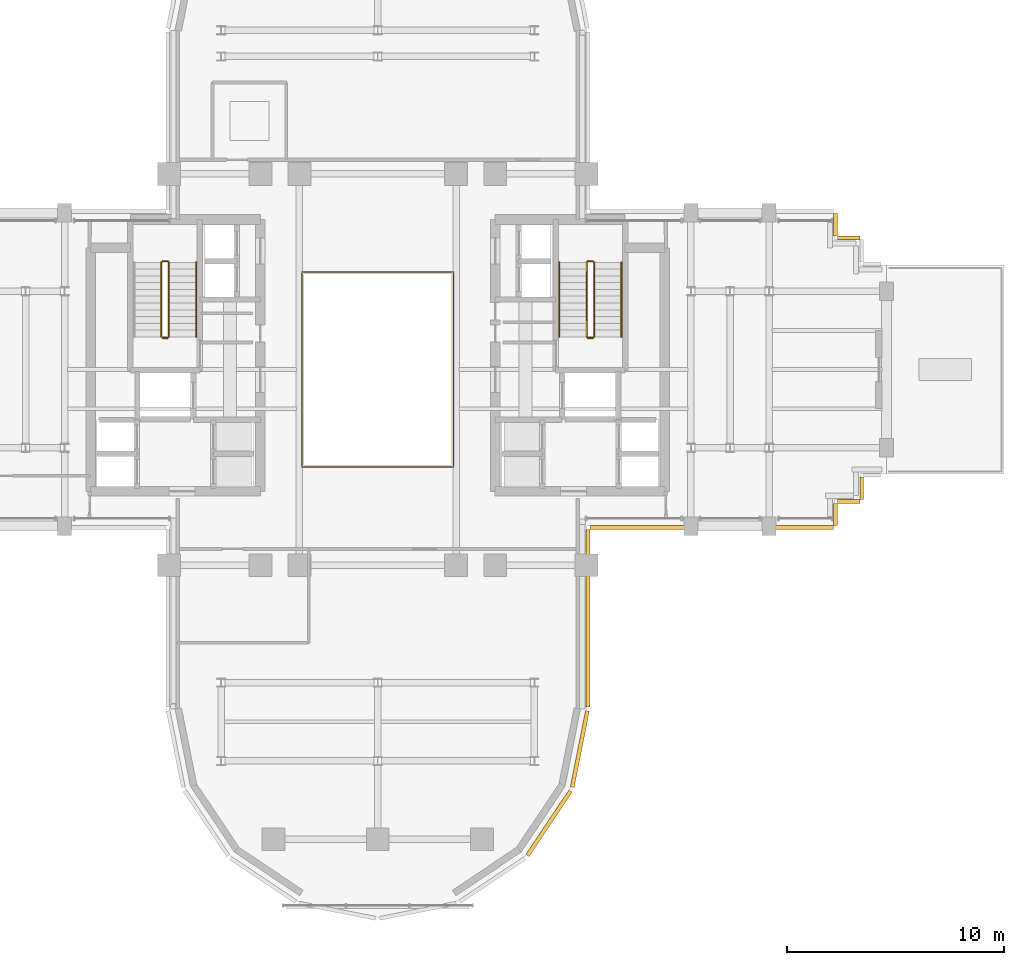
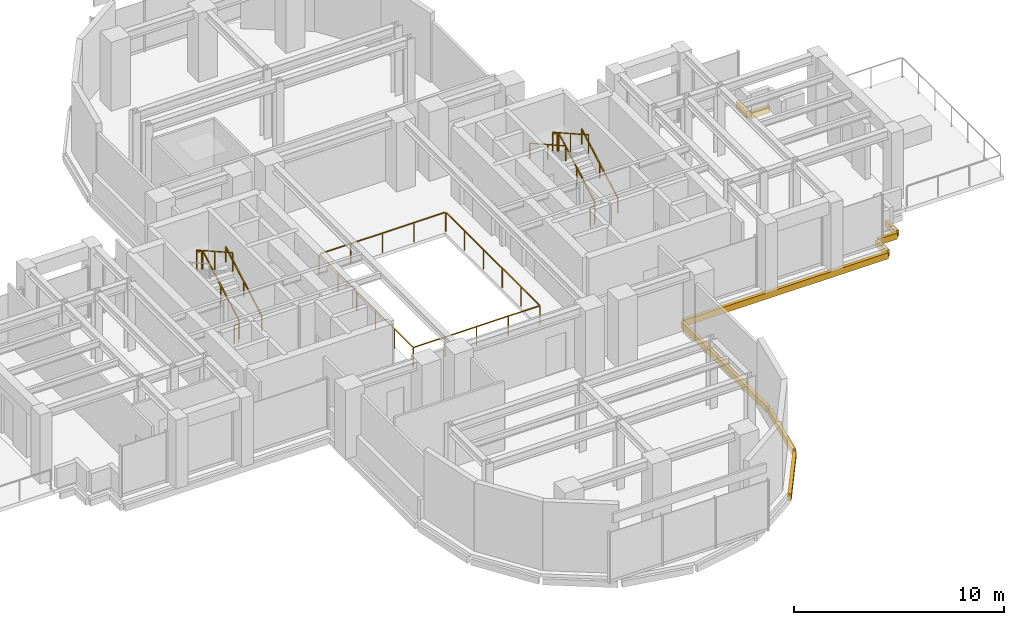
# One storey, part 13 of 16: 12 railings, 9 coverings.
"""IFC4 building model written with IfcOpenShell, lengths in metres."""

from ifc_helpers import new_model, si_unit, direction, frame, origin, origin_2d, place, context, subcontext, project, spatial, rectangle, extrude, source, transform, mapped, material, layer, layer_set, type_object, element, save


model = new_model("IFC4")

# Units and contexts
model_context = context("Model", 3, precision=1e-05, world=origin(), true_north=direction((0.0, 1.0)))
body_context = subcontext(model_context, "Body", "Model", "MODEL_VIEW")
ifc_project = project(units=[si_unit("LENGTHUNIT", "METRE"), si_unit("AREAUNIT", "SQUARE_METRE"), si_unit("VOLUMEUNIT", "CUBIC_METRE"), si_unit("PLANEANGLEUNIT", "RADIAN"), si_unit("MASSUNIT", "GRAM", prefix="KILO")], contexts=[model_context])

# Site, building, storey
site_placement = place(None, origin())
site = spatial("IfcSite", under=ifc_project, at=site_placement, CompositionType="ELEMENT")
building_placement = place(site_placement, origin())
building = spatial("IfcBuilding", under=site, at=building_placement, Name="Keilestroom Media Tower", CompositionType="ELEMENT")
storey_placement = place(building_placement, frame((0.0, 0.0, 93.0)))
storey = spatial("IfcBuildingStorey", under=building, at=storey_placement, Name="L24", CompositionType="ELEMENT", Elevation=93.0)

# Railings
ifc_material_1 = material(Name="Laminated Safety Glass & Bronze Steel", Category="steel")
railing_type_1 = type_object("IfcRailingType", Name="Atrium-Void-Guard-Balustrade-1150", PredefinedType="BALUSTRADE", material=ifc_material_1)
railing_1_placement = place(storey_placement, frame((-3.47998046875, -4.47998046875, 0.0)))
element("IfcRailing", 1, at=railing_1_placement, inside=storey, type_object=railing_type_1, Name="L24 Central Atrium Void Balustrade", PredefinedType="BALUSTRADE", context=body_context, shape_type="SweptSolid", body=[
    extrude(rectangle(XDim=0.048095703125, YDim=0.048095703125, at=origin_2d()), frame((0.0, 0.0, 1.1259765625), z_axis=(1.0, 0.0, 0.0), x_axis=(0.0, 1.0, 0.0)), (0.0, 0.0, 1.0), 6.911865234375),
    extrude(rectangle(XDim=0.048095703125, YDim=0.048095703125, at=origin_2d()), frame((6.9599609375, 0.048095703125, 1.1259765625), z_axis=(0.0, 1.0, 0.0), x_axis=(-1.0, 0.0, 0.0)), (0.0, 0.0, 1.0), 8.86376953125),
    extrude(rectangle(XDim=0.048095703125, YDim=0.048095703125, at=origin_2d()), frame((6.911865234375, 8.9599609375, 1.1259765625), z_axis=(-1.0, 0.0, 0.0), x_axis=(0.0, -1.0, 0.0)), (0.0, 0.0, 1.0), 6.86376953125),
    extrude(rectangle(XDim=0.048095703125, YDim=0.048095703125, at=origin_2d()), frame((0.0, 8.911865234375, 1.1259765625), z_axis=(0.0, -1.0, 0.0), x_axis=(1.0, 0.0, 0.0)), (0.0, 0.0, 1.0), 8.86376953125),
    extrude(rectangle(XDim=0.0419921875, YDim=0.0419921875, at=origin_2d()), origin(), (0.0, 0.0, 1.0), 1.09375),
    extrude(rectangle(XDim=0.0419921875, YDim=0.0419921875, at=origin_2d()), frame((1.739990234375, 0.0, 0.0)), (0.0, 0.0, 1.0), 1.09375),
    extrude(rectangle(XDim=0.0419921875, YDim=0.0419921875, at=origin_2d()), frame((3.47998046875, 0.0, 0.0)), (0.0, 0.0, 1.0), 1.09375),
    extrude(rectangle(XDim=0.0419921875, YDim=0.0419921875, at=origin_2d()), frame((5.219970703125, 0.0, 0.0)), (0.0, 0.0, 1.0), 1.09375),
    extrude(rectangle(XDim=0.0419921875, YDim=0.0419921875, at=origin_2d()), frame((6.9599609375, 0.0, 0.0)), (0.0, 0.0, 1.0), 1.09375),
    extrude(rectangle(XDim=0.0419921875, YDim=0.0419921875, at=origin_2d()), frame((6.9599609375, 1.7919921875, 0.0)), (0.0, 0.0, 1.0), 1.09375),
    extrude(rectangle(XDim=0.0419921875, YDim=0.0419921875, at=origin_2d()), frame((6.9599609375, 3.583984375, 0.0)), (0.0, 0.0, 1.0), 1.09375),
    extrude(rectangle(XDim=0.0419921875, YDim=0.0419921875, at=origin_2d()), frame((6.9599609375, 5.3759765625, 0.0)), (0.0, 0.0, 1.0), 1.09375),
    extrude(rectangle(XDim=0.0419921875, YDim=0.0419921875, at=origin_2d()), frame((6.9599609375, 7.16796875, 0.0)), (0.0, 0.0, 1.0), 1.09375),
    extrude(rectangle(XDim=0.0419921875, YDim=0.0419921875, at=origin_2d()), frame((6.9599609375, 8.9599609375, 0.0)), (0.0, 0.0, 1.0), 1.09375),
    extrude(rectangle(XDim=0.0419921875, YDim=0.0419921875, at=origin_2d()), frame((5.219970703125, 8.9599609375, 0.0)), (0.0, 0.0, 1.0), 1.09375),
    extrude(rectangle(XDim=0.0419921875, YDim=0.0419921875, at=origin_2d()), frame((3.47998046875, 8.9599609375, 0.0)), (0.0, 0.0, 1.0), 1.09375),
    extrude(rectangle(XDim=0.0419921875, YDim=0.0419921875, at=origin_2d()), frame((1.739990234375, 8.9599609375, 0.0)), (0.0, 0.0, 1.0), 1.09375),
    extrude(rectangle(XDim=0.0419921875, YDim=0.0419921875, at=origin_2d()), frame((0.0, 8.9599609375, 0.0)), (0.0, 0.0, 1.0), 1.09375),
    extrude(rectangle(XDim=0.0419921875, YDim=0.0419921875, at=origin_2d()), frame((0.0, 7.16796875, 0.0)), (0.0, 0.0, 1.0), 1.09375),
    extrude(rectangle(XDim=0.0419921875, YDim=0.0419921875, at=origin_2d()), frame((0.0, 5.3759765625, 0.0)), (0.0, 0.0, 1.0), 1.09375),
    extrude(rectangle(XDim=0.0419921875, YDim=0.0419921875, at=origin_2d()), frame((0.0, 3.583984375, 0.0)), (0.0, 0.0, 1.0), 1.09375),
    extrude(rectangle(XDim=0.0419921875, YDim=0.0419921875, at=origin_2d()), frame((0.0, 1.7919921875, 0.0)), (0.0, 0.0, 1.0), 1.09375),
])
ifc_material_2 = material(Name="Brushed Stainless Steel 1.4301", Category="steel")
railing_type_2 = type_object("IfcRailingType", Name="Stair-Pitch-Handrail-920", PredefinedType="HANDRAIL", material=ifc_material_2)
for number, where, name in (
    (2, (-8.35009765625, 1.5, 0.175048828125), "L24 ST-1 stair handrail 1"),
    (3, (11.2099609375, 1.5, 0.175048828125), "L24 ST-2 stair handrail 1"),
):
    element("IfcRailing", number, at=place(storey_placement, frame(where)), inside=storey, type_object=railing_type_2, Name=name, PredefinedType="HANDRAIL", context=body_context, shape_type="SweptSolid", body=[
        extrude(rectangle(XDim=0.048095703125, YDim=0.048095703125, at=origin_2d()), frame((0.0, 0.0, 0.8759765625), z_axis=(0.0, 0.872159829118, 0.489221046638), x_axis=(-1.0, 0.0, 0.0)), (0.0, 0.0, 1.0), 3.934814453125),
        extrude(rectangle(XDim=0.0419921875, YDim=0.0419921875, at=origin_2d()), origin(), (0.0, 0.0, 1.0), 0.84375),
        extrude(rectangle(XDim=0.0419921875, YDim=0.0419921875, at=origin_2d()), frame((0.0, 1.7158203125, 0.96240234375)), (0.0, 0.0, 1.0), 0.84375),
        extrude(rectangle(XDim=0.0419921875, YDim=0.0419921875, at=origin_2d()), frame((0.0, 3.431884765625, 1.925048828125)), (0.0, 0.0, 1.0), 0.84375),
    ])
railing_2_placement = place(storey_placement, frame((8.35009765625, 4.931884765625, 2.27490234375)))
element("IfcRailing", 4, at=railing_2_placement, inside=storey, type_object=railing_type_2, Name="L24 ST-2 stair handrail 2", PredefinedType="HANDRAIL", context=body_context, shape_type="SweptSolid", body=[
    extrude(rectangle(XDim=0.048095703125, YDim=0.048095703125, at=origin_2d()), frame((0.0, 0.0, 0.8759765625), z_axis=(0.0, -0.872159829118, 0.489221046638), x_axis=(1.0, 0.0, 0.0)), (0.0, 0.0, 1.0), 3.934814453125),
    extrude(rectangle(XDim=0.0419921875, YDim=0.0419921875, at=origin_2d()), origin(), (0.0, 0.0, 1.0), 0.84375),
    extrude(rectangle(XDim=0.0419921875, YDim=0.0419921875, at=origin_2d()), frame((0.0, -1.7158203125, 0.96240234375)), (0.0, 0.0, 1.0), 0.84375),
    extrude(rectangle(XDim=0.0419921875, YDim=0.0419921875, at=origin_2d()), frame((0.0, -3.431884765625, 1.925048828125)), (0.0, 0.0, 1.0), 0.84375),
])
ifc_material_3 = material(Name="Painted Steel Balustrade", Category="steel")
railing_type_3 = type_object("IfcRailingType", Name="Stair-Well-And-Landing-Guard-1100", PredefinedType="GUARDRAIL", material=ifc_material_3)
railing_3_placement = place(storey_placement, frame((-9.610107421875, 1.5, 0.175048828125)))
element("IfcRailing", 5, at=railing_3_placement, inside=storey, type_object=railing_type_3, Name="L24 ST-1 stair guard 1", PredefinedType="GUARDRAIL", context=body_context, shape_type="SweptSolid", body=[
    extrude(rectangle(XDim=0.048095703125, YDim=0.048095703125, at=origin_2d()), frame((0.0, 0.0, 1.076171875), z_axis=(0.0, 0.872159829118, 0.489221046638), x_axis=(-1.0, 0.0, 0.0)), (0.0, 0.0, 1.0), 3.934814453125),
    extrude(rectangle(XDim=0.0419921875, YDim=0.0419921875, at=origin_2d()), origin(), (0.0, 0.0, 1.0), 1.0439453125),
    extrude(rectangle(XDim=0.0419921875, YDim=0.0419921875, at=origin_2d()), frame((0.0, 1.7158203125, 0.96240234375)), (0.0, 0.0, 1.0), 1.0439453125),
    extrude(rectangle(XDim=0.0419921875, YDim=0.0419921875, at=origin_2d()), frame((0.0, 3.431884765625, 1.925048828125)), (0.0, 0.0, 1.0), 1.0439453125),
])
railing_4_placement = place(storey_placement, frame((-9.659912109375, 4.98193359375, 2.10009765625)))
element("IfcRailing", 6, at=railing_4_placement, inside=storey, type_object=railing_type_3, Name="L24 ST-1 stair guard 2", PredefinedType="GUARDRAIL", context=body_context, shape_type="SweptSolid", body=[
    extrude(rectangle(XDim=0.048095703125, YDim=0.048095703125, at=origin_2d()), frame((0.0, 0.0, 1.076171875), z_axis=(-1.0, 0.0, 0.0), x_axis=(0.0, -1.0, 0.0)), (0.0, 0.0, 1.0), 0.239990234375),
    extrude(rectangle(XDim=0.0419921875, YDim=0.0419921875, at=origin_2d()), origin(), (0.0, 0.0, 1.0), 1.0439453125),
    extrude(rectangle(XDim=0.0419921875, YDim=0.0419921875, at=origin_2d()), frame((-0.239990234375, 0.0, 0.0)), (0.0, 0.0, 1.0), 1.0439453125),
])
railing_5_placement = place(storey_placement, frame((-9.949951171875, 4.931884765625, 2.27490234375)))
element("IfcRailing", 7, at=railing_5_placement, inside=storey, type_object=railing_type_3, Name="L24 ST-1 stair guard 3", PredefinedType="GUARDRAIL", context=body_context, shape_type="SweptSolid", body=[
    extrude(rectangle(XDim=0.048095703125, YDim=0.048095703125, at=origin_2d()), frame((0.0, 0.0, 1.076171875), z_axis=(0.0, -0.872159829118, 0.489221046638), x_axis=(1.0, 0.0, 0.0)), (0.0, 0.0, 1.0), 3.934814453125),
    extrude(rectangle(XDim=0.0419921875, YDim=0.0419921875, at=origin_2d()), origin(), (0.0, 0.0, 1.0), 1.0439453125),
    extrude(rectangle(XDim=0.0419921875, YDim=0.0419921875, at=origin_2d()), frame((0.0, -1.7158203125, 0.96240234375)), (0.0, 0.0, 1.0), 1.0439453125),
    extrude(rectangle(XDim=0.0419921875, YDim=0.0419921875, at=origin_2d()), frame((0.0, -3.431884765625, 1.925048828125)), (0.0, 0.0, 1.0), 1.0439453125),
])
railing_6_placement = place(storey_placement, frame((-9.659912109375, 1.449951171875, 0.0)))
element("IfcRailing", 8, at=railing_6_placement, inside=storey, type_object=railing_type_3, Name="L24 ST-1 stair guard 4", PredefinedType="GUARDRAIL", context=body_context, shape_type="SweptSolid", body=[
    extrude(rectangle(XDim=0.048095703125, YDim=0.048095703125, at=origin_2d()), frame((0.0, 0.0, 1.076171875), z_axis=(-1.0, 0.0, 0.0), x_axis=(0.0, -1.0, 0.0)), (0.0, 0.0, 1.0), 0.239990234375),
    extrude(rectangle(XDim=0.0419921875, YDim=0.0419921875, at=origin_2d()), origin(), (0.0, 0.0, 1.0), 1.0439453125),
    extrude(rectangle(XDim=0.0419921875, YDim=0.0419921875, at=origin_2d()), frame((-0.239990234375, 0.0, 0.0)), (0.0, 0.0, 1.0), 1.0439453125),
])
railing_7_placement = place(storey_placement, frame((9.949951171875, 1.5, 0.175048828125)))
element("IfcRailing", 9, at=railing_7_placement, inside=storey, type_object=railing_type_3, Name="L24 ST-2 stair guard 1", PredefinedType="GUARDRAIL", context=body_context, shape_type="SweptSolid", body=[
    extrude(rectangle(XDim=0.048095703125, YDim=0.048095703125, at=origin_2d()), frame((0.0, 0.0, 1.076171875), z_axis=(0.0, 0.872159829118, 0.489221046638), x_axis=(-1.0, 0.0, 0.0)), (0.0, 0.0, 1.0), 3.934814453125),
    extrude(rectangle(XDim=0.0419921875, YDim=0.0419921875, at=origin_2d()), origin(), (0.0, 0.0, 1.0), 1.0439453125),
    extrude(rectangle(XDim=0.0419921875, YDim=0.0419921875, at=origin_2d()), frame((0.0, 1.7158203125, 0.96240234375)), (0.0, 0.0, 1.0), 1.0439453125),
    extrude(rectangle(XDim=0.0419921875, YDim=0.0419921875, at=origin_2d()), frame((0.0, 3.431884765625, 1.925048828125)), (0.0, 0.0, 1.0), 1.0439453125),
])
railing_8_placement = place(storey_placement, frame((9.89990234375, 4.98193359375, 2.10009765625)))
element("IfcRailing", 10, at=railing_8_placement, inside=storey, type_object=railing_type_3, Name="L24 ST-2 stair guard 2", PredefinedType="GUARDRAIL", context=body_context, shape_type="SweptSolid", body=[
    extrude(rectangle(XDim=0.048095703125, YDim=0.048095703125, at=origin_2d()), frame((0.0, 0.0, 1.076171875), z_axis=(-1.0, 0.0, 0.0), x_axis=(0.0, -1.0, 0.0)), (0.0, 0.0, 1.0), 0.239990234375),
    extrude(rectangle(XDim=0.0419921875, YDim=0.0419921875, at=origin_2d()), origin(), (0.0, 0.0, 1.0), 1.0439453125),
    extrude(rectangle(XDim=0.0419921875, YDim=0.0419921875, at=origin_2d()), frame((-0.239990234375, 0.0, 0.0)), (0.0, 0.0, 1.0), 1.0439453125),
])
railing_9_placement = place(storey_placement, frame((9.610107421875, 4.931884765625, 2.27490234375)))
element("IfcRailing", 11, at=railing_9_placement, inside=storey, type_object=railing_type_3, Name="L24 ST-2 stair guard 3", PredefinedType="GUARDRAIL", context=body_context, shape_type="SweptSolid", body=[
    extrude(rectangle(XDim=0.048095703125, YDim=0.048095703125, at=origin_2d()), frame((0.0, 0.0, 1.076171875), z_axis=(0.0, -0.872159829118, 0.489221046638), x_axis=(1.0, 0.0, 0.0)), (0.0, 0.0, 1.0), 3.934814453125),
    extrude(rectangle(XDim=0.0419921875, YDim=0.0419921875, at=origin_2d()), origin(), (0.0, 0.0, 1.0), 1.0439453125),
    extrude(rectangle(XDim=0.0419921875, YDim=0.0419921875, at=origin_2d()), frame((0.0, -1.7158203125, 0.96240234375)), (0.0, 0.0, 1.0), 1.0439453125),
    extrude(rectangle(XDim=0.0419921875, YDim=0.0419921875, at=origin_2d()), frame((0.0, -3.431884765625, 1.925048828125)), (0.0, 0.0, 1.0), 1.0439453125),
])
railing_10_placement = place(storey_placement, frame((9.89990234375, 1.449951171875, 0.0)))
element("IfcRailing", 12, at=railing_10_placement, inside=storey, type_object=railing_type_3, Name="L24 ST-2 stair guard 4", PredefinedType="GUARDRAIL", context=body_context, shape_type="SweptSolid", body=[
    extrude(rectangle(XDim=0.048095703125, YDim=0.048095703125, at=origin_2d()), frame((0.0, 0.0, 1.076171875), z_axis=(-1.0, 0.0, 0.0), x_axis=(0.0, -1.0, 0.0)), (0.0, 0.0, 1.0), 0.239990234375),
    extrude(rectangle(XDim=0.0419921875, YDim=0.0419921875, at=origin_2d()), origin(), (0.0, 0.0, 1.0), 1.0439453125),
    extrude(rectangle(XDim=0.0419921875, YDim=0.0419921875, at=origin_2d()), frame((-0.239990234375, 0.0, 0.0)), (0.0, 0.0, 1.0), 1.0439453125),
])

# Coverings
ifc_material_4 = material(Name="Precast concrete C40/50", Category="concrete")
ifc_layer = layer(ifc_material_4, 0.1201171875)
ifc_layer_set = layer_set([ifc_layer], Name="Precast concrete C40/50")
covering_type = type_object("IfcCoveringType", Name="Exterior-Precast-Spandrel-Cladding-Panel-120", PredefinedType="CLADDING", material=ifc_layer_set)
shared_shape_1 = source(origin(), body_context, "Body", "SweptSolid", [
    extrude(rectangle(XDim=1.02001953125, YDim=0.179931640625, at=origin_2d()), origin(), (0.0, 0.0, 1.0), 0.360107421875),
])
for number, where, z_axis, x_axis, name in (
    (13, (22.260009765625, -5.4599609375, -0.5400390625), (0.0, 0.0, 1.0), (0.0, -1.0, 0.0), "L24 Precast Slab-Edge Fascia Cornice 02"),
    (14, (21.659912109375, -6.06005859375, -0.5400390625), (0.0, 0.0, 1.0), (-1.0, 0.0, 0.0), "L24 Precast Slab-Edge Fascia Cornice 03"),
    (15, (21.06005859375, -6.659912109375, -0.5400390625), (0.0, 0.0, 1.0), (0.0, -1.0, 0.0), "L24 Precast Slab-Edge Fascia Cornice 04"),
    (16, (21.06005859375, 6.659912109375, -0.5400390625), (0.0, 0.0, 1.0), (0.0, -1.0, 0.0), "L24 Precast Slab-Edge Fascia Cornice 37"),
    (17, (21.659912109375, 6.06005859375, -0.5400390625), (0.0, 0.0, 1.0), (1.0, 0.0, 0.0), "L24 Precast Slab-Edge Fascia Cornice 38"),
):
    element("IfcCovering", number, at=place(storey_placement, frame(where, z_axis=z_axis, x_axis=x_axis)), inside=storey, type_object=covering_type, Name=name, PredefinedType="CLADDING", context=body_context, shape_type="MappedRepresentation", body=[
        mapped(shared_shape_1, transform((0.0, 0.0, 0.0), x_axis=(1.0, 0.0, 0.0), y_axis=(0.0, 1.0, 0.0), z_axis=(0.0, 0.0, 1.0), scale=1.0)),
    ])
shared_shape_2 = source(origin(), body_context, "Body", "SweptSolid", [
    extrude(rectangle(XDim=8.166015625, YDim=0.179931640625, at=origin_2d()), origin(), (0.0, 0.0, 1.0), 0.360107421875),
])
covering_1_placement = place(storey_placement, frame((9.659912109375, -11.43310546875, -0.5400390625), z_axis=(0.0, 0.0, 1.0), x_axis=(0.0, -1.0, 0.0)))
element("IfcCovering", 18, at=covering_1_placement, inside=storey, type_object=covering_type, Name="L24 Precast Slab-Edge Fascia Cornice 06", PredefinedType="CLADDING", context=body_context, shape_type="MappedRepresentation", body=[
    mapped(shared_shape_2, transform((0.0, 0.0, 0.0), x_axis=(1.0, 0.0, 0.0), y_axis=(0.0, 1.0, 0.0), z_axis=(0.0, 0.0, 1.0), scale=1.0)),
])
shared_shape_3 = source(origin(), body_context, "Body", "SweptSolid", [
    extrude(rectangle(XDim=3.58349609375, YDim=0.179931640625, at=origin_2d()), origin(), (0.0, 0.0, 1.0), 0.360107421875),
])
covering_2_placement = place(storey_placement, frame((9.29296875, -17.45166015625, -0.5400390625), z_axis=(0.0, 0.0, 1.0), x_axis=(-0.195098880975, -0.980783577882, 0.0)))
element("IfcCovering", 19, at=covering_2_placement, inside=storey, type_object=covering_type, Name="L24 Precast Slab-Edge Fascia Cornice 07", PredefinedType="CLADDING", context=body_context, shape_type="MappedRepresentation", body=[
    mapped(shared_shape_3, transform((0.0, 0.0, 0.0), x_axis=(1.0, 0.0, 0.0), y_axis=(0.0, 1.0, 0.0), z_axis=(0.0, 0.0, 1.0), scale=1.0)),
])
shared_shape_4 = source(origin(), body_context, "Body", "SweptSolid", [
    extrude(rectangle(XDim=3.589599609375, YDim=0.179931640625, at=origin_2d()), origin(), (0.0, 0.0, 1.0), 0.360107421875),
])
covering_3_placement = place(storey_placement, frame((7.878662109375, -20.8642578125, -0.5400390625), z_axis=(0.0, 0.0, 1.0), x_axis=(-0.555574586577, -0.831466703332, 0.0)))
element("IfcCovering", 20, at=covering_3_placement, inside=storey, type_object=covering_type, Name="L24 Precast Slab-Edge Fascia Cornice 08", PredefinedType="CLADDING", context=body_context, shape_type="MappedRepresentation", body=[
    mapped(shared_shape_4, transform((0.0, 0.0, 0.0), x_axis=(1.0, 0.0, 0.0), y_axis=(0.0, 1.0, 0.0), z_axis=(0.0, 0.0, 1.0), scale=1.0)),
])
shared_shape_5 = source(origin(), body_context, "Body", "SweptSolid", [
    extrude(rectangle(XDim=11.219970703125, YDim=0.179931640625, at=origin_2d()), origin(), (0.0, 0.0, 1.0), 0.360107421875),
])
covering_4_placement = place(storey_placement, frame((15.360107421875, -7.260009765625, -0.5400390625), z_axis=(0.0, 0.0, 1.0), x_axis=(-1.0, 0.0, 0.0)))
element("IfcCovering", 21, at=covering_4_placement, inside=storey, type_object=covering_type, Name="L24 Precast Slab-Edge Fascia Cornice 05", PredefinedType="CLADDING", context=body_context, shape_type="MappedRepresentation", body=[
    mapped(shared_shape_5, transform((0.0, 0.0, 0.0), x_axis=(1.0, 0.0, 0.0), y_axis=(0.0, 1.0, 0.0), z_axis=(0.0, 0.0, 1.0), scale=1.0)),
])

save(model, "model.ifc")
